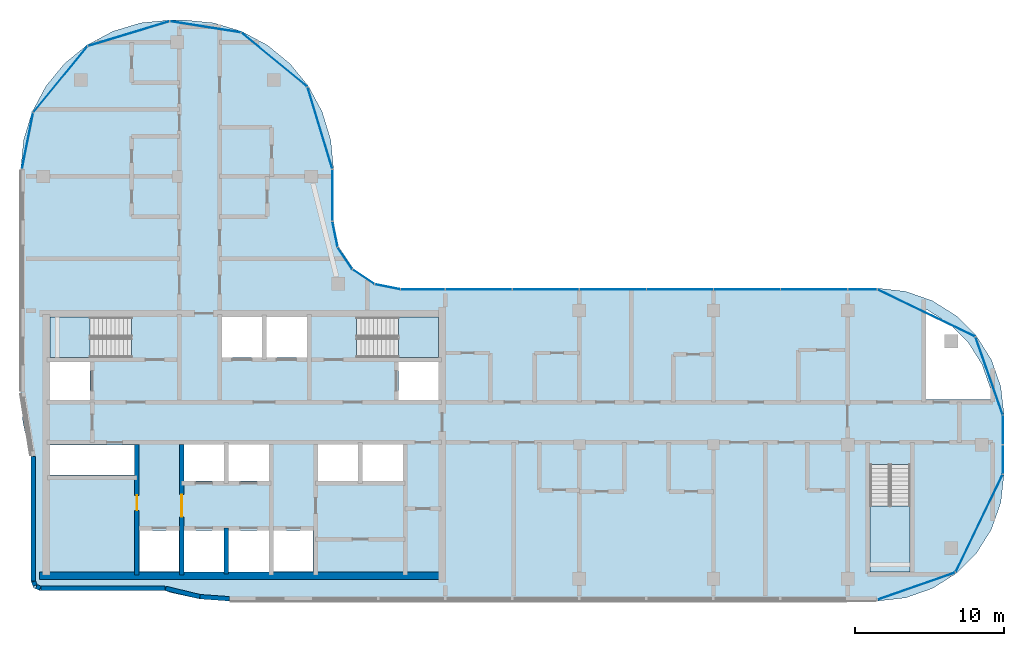
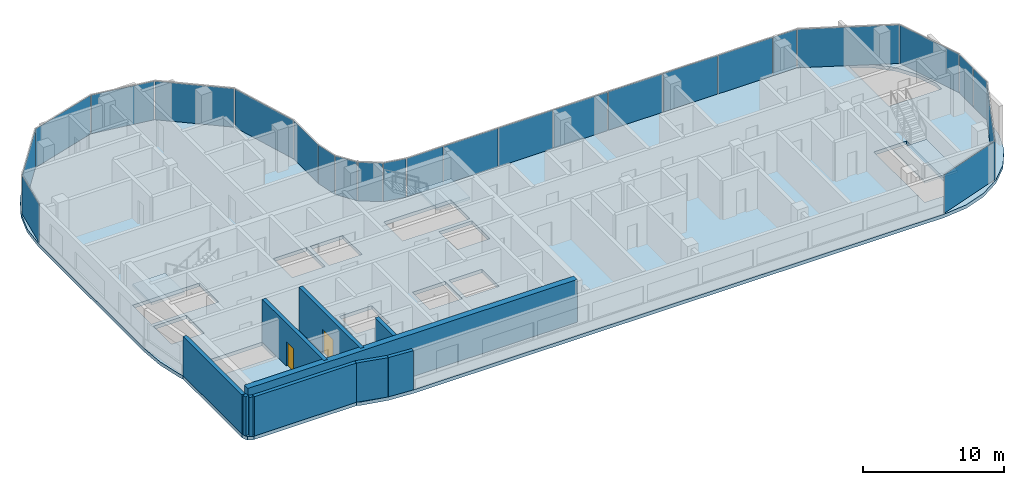
# One storey, part 8 of 19: 25 plates, 10 walls, 4 slabs, 2 doors, 2 openings, 10 elements without a shape of their own.
"""IFC4 building model written with IfcOpenShell, lengths in metres."""

from ifc_helpers import new_model, si_unit, direction, frame, frame_2d, origin, origin_2d, place, context, subcontext, project, spatial, polyline, rectangle, outline, extrude, material, layer, layer_set, type_object, element, fill, aggregate, save


model = new_model("IFC4")

# Units and contexts
model_context = context("Model", 3, precision=1e-05, world=origin(), true_north=direction((0.0, 1.0)))
body_context = subcontext(model_context, "Body", "Model", "MODEL_VIEW")
ifc_project = project(units=[si_unit("LENGTHUNIT", "METRE"), si_unit("AREAUNIT", "SQUARE_METRE"), si_unit("VOLUMEUNIT", "CUBIC_METRE"), si_unit("PLANEANGLEUNIT", "RADIAN"), si_unit("MASSUNIT", "GRAM", prefix="KILO")], contexts=[model_context])

# Site, building, storey
site_placement = place(None, origin())
site = spatial("IfcSite", under=ifc_project, at=site_placement, CompositionType="ELEMENT")
building_placement = place(site_placement, origin())
building = spatial("IfcBuilding", under=site, at=building_placement, Name="Ogive Portal Towers", CompositionType="ELEMENT")
storey_placement = place(building_placement, frame((0.0, 0.0, 229.10009765625)))
storey = spatial("IfcBuildingStorey", under=building, at=storey_placement, Name="L57", CompositionType="ELEMENT", Elevation=229.10009765625)

# Curtain wall, plates
ifc_material_1 = material(Name="Glass, clear low-iron insulated glazing", Category="glass")
curtain_wall_type = type_object("IfcCurtainWallType", Name="CW FRONT RIBBON 4500", PredefinedType="NOTDEFINED", material=ifc_material_1)
curtain_wall_1_placement = place(storey_placement, origin())
curtain_wall_1 = element("IfcCurtainWall", 1, at=curtain_wall_1_placement, inside=storey, type_object=curtain_wall_type, Name="A:L57:f09:cw0", PredefinedType="NOTDEFINED")
ifc_layer_1 = layer(ifc_material_1, 0.028076171875)
ifc_layer_set_1 = layer_set([ifc_layer_1], Name="CW PANEL IGU 28")
plate_type = type_object("IfcPlateType", Name="CW PANEL IGU 28", PredefinedType="CURTAIN_PANEL", material=ifc_layer_set_1)
plate_1_placement = place(storey_placement, frame((95.919921875, 29.509033203125, 0.0), z_axis=(0.0, 0.0, 1.0), x_axis=(0.0, 1.0, 0.0)))
plate_1 = element("IfcPlate", 2, at=plate_1_placement, type_object=plate_type, Name="panel", PredefinedType="CURTAIN_PANEL", context=body_context, shape_type="SweptSolid", body=[
    extrude(rectangle(XDim=1.921630859375, YDim=0.028076171875, at=origin_2d()), origin(), (0.0, 0.0, 1.0), 3.340087890625),
])
plate_2_placement = place(storey_placement, frame((95.919921875, 31.4931640625, 0.0), z_axis=(0.0, 0.0, 1.0), x_axis=(0.0, 1.0, 0.0)))
plate_2 = element("IfcPlate", 3, at=plate_2_placement, type_object=plate_type, Name="panel", PredefinedType="CURTAIN_PANEL", context=body_context, shape_type="SweptSolid", body=[
    extrude(rectangle(XDim=1.926513671875, YDim=0.028076171875, at=origin_2d()), origin(), (0.0, 0.0, 1.0), 3.340087890625),
])
aggregate(curtain_wall_1, [plate_1, plate_2])

curtain_wall_2_placement = place(storey_placement, origin())
curtain_wall_2 = element("IfcCurtainWall", 4, at=curtain_wall_2_placement, inside=storey, type_object=curtain_wall_type, Name="A:L57:f12:cw0", PredefinedType="NOTDEFINED")
plate_3_placement = place(storey_placement, frame((86.490966796875, 40.919921875, 0.0), z_axis=(0.0, 0.0, 1.0), x_axis=(-1.0, 0.0, 0.0)))
plate_3 = element("IfcPlate", 5, at=plate_3_placement, type_object=plate_type, Name="panel", PredefinedType="CURTAIN_PANEL", context=body_context, shape_type="SweptSolid", body=[
    extrude(rectangle(XDim=1.921630859375, YDim=0.028076171875, at=origin_2d()), origin(), (0.0, 0.0, 1.0), 3.340087890625),
])
plate_4_placement = place(storey_placement, frame((83.25, 40.919921875, 0.0), z_axis=(0.0, 0.0, 1.0), x_axis=(-1.0, 0.0, 0.0)))
plate_4 = element("IfcPlate", 6, at=plate_4_placement, type_object=plate_type, Name="panel", PredefinedType="CURTAIN_PANEL", context=body_context, shape_type="SweptSolid", body=[
    extrude(rectangle(XDim=4.43994140625, YDim=0.028076171875, at=origin_2d()), origin(), (0.0, 0.0, 1.0), 3.340087890625),
])
plate_5_placement = place(storey_placement, frame((78.75, 40.919921875, 0.0), z_axis=(0.0, 0.0, 1.0), x_axis=(-1.0, 0.0, 0.0)))
plate_5 = element("IfcPlate", 7, at=plate_5_placement, type_object=plate_type, Name="panel", PredefinedType="CURTAIN_PANEL", context=body_context, shape_type="SweptSolid", body=[
    extrude(rectangle(XDim=4.43994140625, YDim=0.028076171875, at=origin_2d()), origin(), (0.0, 0.0, 1.0), 3.340087890625),
])
plate_6_placement = place(storey_placement, frame((74.25, 40.919921875, 0.0), z_axis=(0.0, 0.0, 1.0), x_axis=(-1.0, 0.0, 0.0)))
plate_6 = element("IfcPlate", 8, at=plate_6_placement, type_object=plate_type, Name="panel", PredefinedType="CURTAIN_PANEL", context=body_context, shape_type="SweptSolid", body=[
    extrude(rectangle(XDim=4.43994140625, YDim=0.028076171875, at=origin_2d()), origin(), (0.0, 0.0, 1.0), 3.340087890625),
])
plate_7_placement = place(storey_placement, frame((69.75, 40.919921875, 0.0), z_axis=(0.0, 0.0, 1.0), x_axis=(-1.0, 0.0, 0.0)))
plate_7 = element("IfcPlate", 9, at=plate_7_placement, type_object=plate_type, Name="panel", PredefinedType="CURTAIN_PANEL", context=body_context, shape_type="SweptSolid", body=[
    extrude(rectangle(XDim=4.43994140625, YDim=0.028076171875, at=origin_2d()), origin(), (0.0, 0.0, 1.0), 3.340087890625),
])
plate_8_placement = place(storey_placement, frame((65.25, 40.919921875, 0.0), z_axis=(0.0, 0.0, 1.0), x_axis=(-1.0, 0.0, 0.0)))
plate_8 = element("IfcPlate", 10, at=plate_8_placement, type_object=plate_type, Name="panel", PredefinedType="CURTAIN_PANEL", context=body_context, shape_type="SweptSolid", body=[
    extrude(rectangle(XDim=4.43994140625, YDim=0.028076171875, at=origin_2d()), origin(), (0.0, 0.0, 1.0), 3.340087890625),
])
plate_9_placement = place(storey_placement, frame((60.75, 40.919921875, 0.0), z_axis=(0.0, 0.0, 1.0), x_axis=(-1.0, 0.0, 0.0)))
plate_9 = element("IfcPlate", 11, at=plate_9_placement, type_object=plate_type, Name="panel", PredefinedType="CURTAIN_PANEL", context=body_context, shape_type="SweptSolid", body=[
    extrude(rectangle(XDim=4.43994140625, YDim=0.028076171875, at=origin_2d()), origin(), (0.0, 0.0, 1.0), 3.340087890625),
])
plate_10_placement = place(storey_placement, frame((56.99609375, 40.919921875, 0.0), z_axis=(0.0, 0.0, 1.0), x_axis=(-1.0, 0.0, 0.0)))
plate_10 = element("IfcPlate", 12, at=plate_10_placement, type_object=plate_type, Name="panel", PredefinedType="CURTAIN_PANEL", context=body_context, shape_type="SweptSolid", body=[
    extrude(rectangle(XDim=2.947998046875, YDim=0.028076171875, at=origin_2d()), origin(), (0.0, 0.0, 1.0), 3.340087890625),
])
aggregate(curtain_wall_2, [plate_3, plate_4, plate_5, plate_6, plate_7, plate_8, plate_9, plate_10])

# Curtain wall, plate
curtain_wall_3_placement = place(storey_placement, origin())
curtain_wall_3 = element("IfcCurtainWall", 13, at=curtain_wall_3_placement, inside=storey, type_object=curtain_wall_type, Name="A:L57:f17:cw0", PredefinedType="NOTDEFINED")
plate_11_placement = place(storey_placement, frame((50.919921875, 47.240234375, 0.0), z_axis=(0.0, 0.0, 1.0), x_axis=(0.0, 1.0, 0.0)))
plate_11 = element("IfcPlate", 14, at=plate_11_placement, type_object=plate_type, Name="panel", PredefinedType="CURTAIN_PANEL", context=body_context, shape_type="SweptSolid", body=[
    extrude(rectangle(XDim=3.43603515625, YDim=0.028076171875, at=origin_2d()), origin(), (0.0, 0.0, 1.0), 3.340087890625),
])
aggregate(curtain_wall_3, [plate_11])

# Curtain wall, plates
curtain_wall_4_placement = place(storey_placement, origin())
curtain_wall_4 = element("IfcCurtainWall", 15, at=curtain_wall_4_placement, inside=storey, type_object=curtain_wall_type, Name="A:L57:f07:cwa", PredefinedType="NOTDEFINED")
plate_12_placement = place(storey_placement, frame((90.1142578125, 20.99951171875, 0.0), z_axis=(0.0, 0.0, 1.0), x_axis=(0.943883330307, 0.33027906196, 0.0)))
plate_12 = element("IfcPlate", 16, at=plate_12_placement, type_object=plate_type, Name="panel", PredefinedType="CURTAIN_PANEL", context=body_context, shape_type="SweptSolid", body=[
    extrude(rectangle(XDim=5.508056640625, YDim=0.028076171875, at=origin_2d()), origin(), (0.0, 0.0, 1.0), 3.340087890625),
])
plate_13_placement = place(storey_placement, frame((94.3310546875, 25.21875, 0.0), z_axis=(0.0, 0.0, 1.0), x_axis=(0.433883739113, 0.900968867905, 0.0)))
plate_13 = element("IfcPlate", 17, at=plate_13_placement, type_object=plate_type, Name="panel", PredefinedType="CURTAIN_PANEL", context=body_context, shape_type="SweptSolid", body=[
    extrude(rectangle(XDim=7.2646484375, YDim=0.028076171875, at=origin_2d()), origin(), (0.0, 0.0, 1.0), 3.340087890625),
])
aggregate(curtain_wall_4, [plate_12, plate_13])

curtain_wall_5_placement = place(storey_placement, origin())
curtain_wall_5 = element("IfcCurtainWall", 18, at=curtain_wall_5_placement, inside=storey, type_object=curtain_wall_type, Name="A:L57:f10:cwa", PredefinedType="NOTDEFINED")
plate_14_placement = place(storey_placement, frame((95.00048828125, 35.1142578125, 0.0), z_axis=(0.0, 0.0, 1.0), x_axis=(-0.33027906196, 0.943883330307, 0.0)))
plate_14 = element("IfcPlate", 19, at=plate_14_placement, type_object=plate_type, Name="panel", PredefinedType="CURTAIN_PANEL", context=body_context, shape_type="SweptSolid", body=[
    extrude(rectangle(XDim=5.508056640625, YDim=0.028076171875, at=origin_2d()), origin(), (0.0, 0.0, 1.0), 3.340087890625),
])
plate_15_placement = place(storey_placement, frame((90.78125, 39.3310546875, 0.0), z_axis=(0.0, 0.0, 1.0), x_axis=(-0.900968867905, 0.433883739113, 0.0)))
plate_15 = element("IfcPlate", 20, at=plate_15_placement, type_object=plate_type, Name="panel", PredefinedType="CURTAIN_PANEL", context=body_context, shape_type="SweptSolid", body=[
    extrude(rectangle(XDim=7.2646484375, YDim=0.028076171875, at=origin_2d()), origin(), (0.0, 0.0, 1.0), 3.340087890625),
])
aggregate(curtain_wall_5, [plate_14, plate_15])

curtain_wall_6_placement = place(storey_placement, origin())
curtain_wall_6 = element("IfcCurtainWall", 21, at=curtain_wall_6_placement, inside=storey, type_object=curtain_wall_type, Name="A:L57:f13:cwa", PredefinedType="NOTDEFINED")
plate_16_placement = place(storey_placement, frame((54.619384765625, 41.093505859375, 0.0), z_axis=(0.0, 0.0, 1.0), x_axis=(-0.980785280403, 0.195090322016, 0.0)))
plate_16 = element("IfcPlate", 22, at=plate_16_placement, type_object=plate_type, Name="panel", PredefinedType="CURTAIN_PANEL", context=body_context, shape_type="SweptSolid", body=[
    extrude(rectangle(XDim=1.7197265625, YDim=0.028076171875, at=origin_2d()), origin(), (0.0, 0.0, 1.0), 3.340087890625),
])
plate_17_placement = place(storey_placement, frame((53.00341796875, 41.763671875, 0.0), z_axis=(0.0, 0.0, 1.0), x_axis=(-0.831469612303, 0.55557023302, 0.0)))
plate_17 = element("IfcPlate", 23, at=plate_17_placement, type_object=plate_type, Name="panel", PredefinedType="CURTAIN_PANEL", context=body_context, shape_type="SweptSolid", body=[
    extrude(rectangle(XDim=1.7275390625, YDim=0.028076171875, at=origin_2d()), origin(), (0.0, 0.0, 1.0), 3.340087890625),
])
plate_18_placement = place(storey_placement, frame((51.763671875, 43.00341796875, 0.0), z_axis=(0.0, 0.0, 1.0), x_axis=(-0.55557023302, 0.831469612303, 0.0)))
plate_18 = element("IfcPlate", 24, at=plate_18_placement, type_object=plate_type, Name="panel", PredefinedType="CURTAIN_PANEL", context=body_context, shape_type="SweptSolid", body=[
    extrude(rectangle(XDim=1.7275390625, YDim=0.028076171875, at=origin_2d()), origin(), (0.0, 0.0, 1.0), 3.340087890625),
])
plate_19_placement = place(storey_placement, frame((51.093505859375, 44.619384765625, 0.0), z_axis=(0.0, 0.0, 1.0), x_axis=(-0.195090322016, 0.980785280403, 0.0)))
plate_19 = element("IfcPlate", 25, at=plate_19_placement, type_object=plate_type, Name="panel", PredefinedType="CURTAIN_PANEL", context=body_context, shape_type="SweptSolid", body=[
    extrude(rectangle(XDim=1.7197265625, YDim=0.028076171875, at=origin_2d()), origin(), (0.0, 0.0, 1.0), 3.340087890625),
])
aggregate(curtain_wall_6, [plate_16, plate_17, plate_18, plate_19])

curtain_wall_7_placement = place(storey_placement, origin())
curtain_wall_7 = element("IfcCurtainWall", 26, at=curtain_wall_7_placement, inside=storey, type_object=curtain_wall_type, Name="A:L57:f18:cwa", PredefinedType="NOTDEFINED")
plate_20_placement = place(storey_placement, frame((50.08251953125, 51.748779296875, 0.0), z_axis=(0.0, 0.0, 1.0), x_axis=(-0.290284677254, 0.956940335732, 0.0)))
plate_20 = element("IfcPlate", 27, at=plate_20_placement, type_object=plate_type, Name="panel", PredefinedType="CURTAIN_PANEL", context=body_context, shape_type="SweptSolid", body=[
    extrude(rectangle(XDim=5.70947265625, YDim=0.028076171875, at=origin_2d()), origin(), (0.0, 0.0, 1.0), 3.340087890625),
])
plate_21_placement = place(storey_placement, frame((47.01904296875, 56.336181640625, 0.0), z_axis=(0.0, 0.0, 1.0), x_axis=(-0.773010453363, 0.634393284164, 0.0)))
plate_21 = element("IfcPlate", 28, at=plate_21_placement, type_object=plate_type, Name="panel", PredefinedType="CURTAIN_PANEL", context=body_context, shape_type="SweptSolid", body=[
    extrude(rectangle(XDim=5.69970703125, YDim=0.028076171875, at=origin_2d()), origin(), (0.0, 0.0, 1.0), 3.340087890625),
])
plate_22_placement = place(storey_placement, frame((42.399169921875, 58.54052734375, 0.0), z_axis=(0.0, 0.0, 1.0), x_axis=(-0.987792174992, 0.155777466355, 0.0)))
plate_22 = element("IfcPlate", 29, at=plate_22_placement, type_object=plate_type, Name="panel", PredefinedType="CURTAIN_PANEL", context=body_context, shape_type="SweptSolid", body=[
    extrude(rectangle(XDim=4.786376953125, YDim=0.028076171875, at=origin_2d()), origin(), (0.0, 0.0, 1.0), 3.340087890625),
])
plate_23_placement = place(storey_placement, frame((37.248291015625, 58.08154296875, 0.0), z_axis=(0.0, 0.0, 1.0), x_axis=(-0.956940335732, -0.290284677254, 0.0)))
plate_23 = element("IfcPlate", 30, at=plate_23_placement, type_object=plate_type, Name="panel", PredefinedType="CURTAIN_PANEL", context=body_context, shape_type="SweptSolid", body=[
    extrude(rectangle(XDim=5.703125, YDim=0.028076171875, at=origin_2d()), origin(), (0.0, 0.0, 1.0), 3.340087890625),
])
plate_24_placement = place(storey_placement, frame((32.663330078125, 55.018310546875, 0.0), z_axis=(0.0, 0.0, 1.0), x_axis=(-0.634393284164, -0.773010453363, 0.0)))
plate_24 = element("IfcPlate", 31, at=plate_24_placement, type_object=plate_type, Name="panel", PredefinedType="CURTAIN_PANEL", context=body_context, shape_type="SweptSolid", body=[
    extrude(rectangle(XDim=5.701416015625, YDim=0.028076171875, at=origin_2d()), origin(), (0.0, 0.0, 1.0), 3.340087890625),
])
plate_25_placement = place(storey_placement, frame((30.457763671875, 50.891845703125, 0.0), z_axis=(0.0, 0.0, 1.0), x_axis=(-0.195090322016, -0.980785280403, 0.0)))
plate_25 = element("IfcPlate", 32, at=plate_25_placement, type_object=plate_type, Name="panel", PredefinedType="CURTAIN_PANEL", context=body_context, shape_type="SweptSolid", body=[
    extrude(rectangle(XDim=3.81396484375, YDim=0.028076171875, at=origin_2d()), origin(), (0.0, 0.0, 1.0), 3.340087890625),
])
aggregate(curtain_wall_7, [plate_20, plate_21, plate_22, plate_23, plate_24, plate_25])

# Stair, slab
ifc_material_2 = material(Name="Concrete C40/50", Category="concrete")
stair_type = type_object("IfcStairType", Name="INT-STAIR", PredefinedType="HALF_TURN_STAIR", material=ifc_material_2)
stair_1_placement = place(storey_placement, origin())
stair_1 = element("IfcStair", 33, at=stair_1_placement, inside=storey, type_object=stair_type, Name="L57 Exit Stair ST-A1", PredefinedType="HALF_TURN_STAIR")
ifc_layer_2 = layer(ifc_material_2, 0.199951171875)
ifc_layer_set_2 = layer_set([ifc_layer_2], Name="INT-LANDING")
slab_type_1 = type_object("IfcSlabType", Name="INT-LANDING", PredefinedType="LANDING", material=ifc_layer_set_2)
slab_1_placement = place(storey_placement, frame((0.0, 0.0, 1.64990234375)))
slab_1 = element("IfcSlab", 34, at=slab_1_placement, type_object=slab_type_1, Name="ST-A1 landing 1", PredefinedType="LANDING", context=body_context, shape_type="SweptSolid", body=[
    extrude(outline(polyline([(34.64990234375, 39.050048828125), (31.949951171875, 39.050048828125), (31.949951171875, 36.35009765625), (34.64990234375, 36.35009765625), (34.64990234375, 39.050048828125)])), origin(), (0.0, 0.0, 1.0), 0.199951171875),
])
aggregate(stair_1, [slab_1])

stair_2_placement = place(storey_placement, origin())
stair_2 = element("IfcStair", 35, at=stair_2_placement, inside=storey, type_object=stair_type, Name="L57 Exit Stair ST-A2", PredefinedType="HALF_TURN_STAIR")
slab_2_placement = place(storey_placement, frame((0.0, 0.0, 1.64990234375)))
slab_2 = element("IfcSlab", 36, at=slab_2_placement, type_object=slab_type_1, Name="ST-A2 landing 1", PredefinedType="LANDING", context=body_context, shape_type="SweptSolid", body=[
    extrude(outline(polyline([(55.35009765625, 36.35009765625), (58.050048828125, 36.35009765625), (58.050048828125, 39.050048828125), (55.35009765625, 39.050048828125), (55.35009765625, 36.35009765625)])), origin(), (0.0, 0.0, 1.0), 0.199951171875),
])
aggregate(stair_2, [slab_2])

stair_3_placement = place(storey_placement, origin())
stair_3 = element("IfcStair", 37, at=stair_3_placement, inside=storey, type_object=stair_type, Name="L57 Exit Stair ST-A4", PredefinedType="HALF_TURN_STAIR")
slab_3_placement = place(storey_placement, frame((0.0, 0.0, 1.64990234375)))
slab_3 = element("IfcSlab", 38, at=slab_3_placement, type_object=slab_type_1, Name="ST-A4 landing 1", PredefinedType="LANDING", context=body_context, shape_type="SweptSolid", body=[
    extrude(outline(polyline([(87.0, 26.3701171875), (87.0, 21.949951171875), (89.699951171875, 21.949951171875), (89.699951171875, 26.3701171875), (87.0, 26.3701171875)])), origin(), (0.0, 0.0, 1.0), 0.199951171875),
])
aggregate(stair_3, [slab_3])

# Slab
ifc_material_3 = material(Name="Concrete C45/55", Category="concrete")
ifc_layer_3 = layer(ifc_material_3, 0.300048828125)
ifc_layer_set_3 = layer_set([ifc_layer_3], Name="PT FLAT PLATE 300")
slab_type_2 = type_object("IfcSlabType", Name="PT FLAT PLATE 300", PredefinedType="FLOOR", material=ifc_layer_set_3)
slab_4_placement = place(storey_placement, frame((0.0, 0.0, -0.300048828125)))
element("IfcSlab", 39, at=slab_4_placement, inside=storey, type_object=slab_type_2, Name="Floor slab L57", PredefinedType="FLOOR", context=body_context, shape_type="SweptSolid", body=[
    extrude(outline(polyline([(30.142578125, 32.007568359375), (30.567138671875, 30.0556640625), (30.699951171875, 29.699462890625), (30.699951171875, 21.300048828125), (30.875732421875, 20.875732421875), (31.300048828125, 20.699951171875), (39.699462890625, 20.699951171875), (40.0556640625, 20.567138671875), (42.007568359375, 20.142578125), (44.0, 20.0), (87.5, 20.0), (89.391357421875, 20.213134765625), (91.18798828125, 20.841796875), (92.7998046875, 21.8544921875), (94.1455078125, 23.2001953125), (95.158203125, 24.81201171875), (95.786865234375, 26.608642578125), (96.0, 28.5), (96.0, 32.5), (95.786865234375, 34.391357421875), (95.158203125, 36.18798828125), (94.1455078125, 37.7998046875), (92.7998046875, 39.1455078125), (91.18798828125, 40.158203125), (89.391357421875, 40.786865234375), (87.5, 41.0), (55.5, 41.0), (53.77783203125, 41.342529296875), (52.318115234375, 42.318115234375), (51.342529296875, 43.77783203125), (51.0, 45.5), (51.0, 49.0), (50.807861328125, 50.950927734375), (50.23876953125, 52.826904296875), (49.314697265625, 54.5556640625), (48.071044921875, 56.071044921875), (46.5556640625, 57.314697265625), (44.826904296875, 58.23876953125), (42.950927734375, 58.807861328125), (41.0, 59.0), (40.0, 59.0), (38.049072265625, 58.807861328125), (36.173095703125, 58.23876953125), (34.4443359375, 57.314697265625), (32.928955078125, 56.071044921875), (31.685302734375, 54.5556640625), (30.76123046875, 52.826904296875), (30.192138671875, 50.950927734375), (30.0, 49.0), (30.0, 34.0), (30.142578125, 32.007568359375)]), holes=[polyline([(40.6298828125, 21.969970703125), (37.969970703125, 21.969970703125), (37.969970703125, 24.72998046875), (40.6298828125, 24.72998046875), (40.6298828125, 21.969970703125)]), polyline([(43.64990234375, 24.75), (43.64990234375, 21.949951171875), (40.949951171875, 21.949951171875), (40.949951171875, 24.75), (43.64990234375, 24.75)]), polyline([(46.64990234375, 24.75), (46.64990234375, 21.949951171875), (43.949951171875, 21.949951171875), (43.949951171875, 24.75), (46.64990234375, 24.75)]), polyline([(43.64990234375, 30.5), (43.64990234375, 28.050048828125), (40.949951171875, 28.050048828125), (40.949951171875, 30.5), (43.64990234375, 30.5)]), polyline([(46.64990234375, 30.5), (46.64990234375, 28.050048828125), (43.949951171875, 28.050048828125), (43.949951171875, 30.5), (46.64990234375, 30.5)]), polyline([(37.6298828125, 28.447021484375), (31.969970703125, 28.447021484375), (31.969970703125, 30.47998046875), (37.6298828125, 30.47998046875), (37.6298828125, 28.447021484375)]), polyline([(34.64990234375, 36.050048828125), (34.64990234375, 33.5), (31.949951171875, 33.5), (31.949951171875, 36.050048828125), (34.64990234375, 36.050048828125)]), polyline([(31.951904296875, 39.048095703125), (37.447998046875, 39.048095703125), (37.447998046875, 36.35205078125), (31.951904296875, 36.35205078125), (31.951904296875, 39.048095703125)]), polyline([(46.199951171875, 39.050048828125), (46.199951171875, 36.35009765625), (43.5, 36.35009765625), (43.5, 39.050048828125), (46.199951171875, 39.050048828125)]), polyline([(49.6298828125, 21.969970703125), (46.969970703125, 21.969970703125), (46.969970703125, 24.72998046875), (49.6298828125, 24.72998046875), (49.6298828125, 21.969970703125)]), polyline([(87.001953125, 21.951904296875), (87.001953125, 29.16796875), (89.697998046875, 29.16796875), (89.697998046875, 21.951904296875), (87.001953125, 21.951904296875)]), polyline([(52.64990234375, 30.5), (52.64990234375, 28.050048828125), (49.949951171875, 28.050048828125), (49.949951171875, 30.5), (52.64990234375, 30.5)]), polyline([(55.64990234375, 30.5), (55.64990234375, 28.050048828125), (52.949951171875, 28.050048828125), (52.949951171875, 30.5), (55.64990234375, 30.5)]), polyline([(58.050048828125, 36.050048828125), (58.050048828125, 33.5), (55.35009765625, 33.5), (55.35009765625, 36.050048828125), (58.050048828125, 36.050048828125)]), polyline([(93.5947265625, 37.360595703125), (94.523681640625, 35.88232421875), (95.080078125, 34.292236328125), (95.080078125, 33.52001953125), (90.77001953125, 33.52001953125), (90.77001953125, 39.56298828125), (90.88232421875, 39.523681640625), (92.360595703125, 38.5947265625), (93.5947265625, 37.360595703125)]), polyline([(49.199951171875, 36.35009765625), (46.5, 36.35009765625), (46.5, 39.050048828125), (49.199951171875, 39.050048828125), (49.199951171875, 36.35009765625)]), polyline([(52.552001953125, 36.35205078125), (52.552001953125, 39.048095703125), (58.048095703125, 39.048095703125), (58.048095703125, 36.35205078125), (52.552001953125, 36.35205078125)])]), origin(), (0.0, 0.0, 1.0), 0.300048828125),
])

# Wall, opening, door
ifc_material_4 = material(Name="Concrete C60/75", Category="concrete")
ifc_layer_4 = layer(ifc_material_4, 0.300048828125)
ifc_layer_set_4 = layer_set([ifc_layer_4], Name="CORE WALL 300 C60")
wall_type_1 = type_object("IfcWallType", Name="CORE WALL 300 C60", PredefinedType="SHEAR", material=ifc_layer_set_4)
wall_1_placement = place(storey_placement, frame((37.800048828125, 21.75, 0.0), z_axis=(0.0, 0.0, 1.0), x_axis=(0.0, 1.0, 0.0)))
wall_1 = element("IfcWall", 40, at=wall_1_placement, inside=storey, type_object=wall_type_1, Name="Core wall X1 L57", PredefinedType="SHEAR", context=body_context, shape_type="SweptSolid", body=[
    extrude(rectangle(XDim=8.75, YDim=0.300048828125, at=frame_2d((4.375, 0.0))), origin(), (0.0, 0.0, 1.0), 3.699951171875),
])
opening_1_placement = place(wall_1_placement, frame((4.337890625, 0.0, 0.0)))
opening_1 = element("IfcOpeningElement", 41, at=opening_1_placement, cuts=wall_1, Name="Opening D25-022", PredefinedType="OPENING", context=body_context, shape_type="SweptSolid", body=[
    extrude(rectangle(XDim=1.0, YDim=2.10009765625, at=frame_2d((0.5, 1.050048828125))), frame((0.0, 0.16015625, 0.0), z_axis=(0.0, -1.0, 0.0), x_axis=(1.0, 0.0, 0.0)), (0.0, 0.0, 1.0), 0.320068359375),
])
ifc_material_5 = material(Name="Steel fire door", Category="steel")
door_type_1 = type_object("IfcDoorType", Name="DT-SWING-1000x2100-FD90S", OperationType="SINGLE_SWING_LEFT", PredefinedType="DOOR", material=ifc_material_5)
door_1_placement = place(opening_1_placement, origin())
door_1 = element("IfcDoor", 42, at=door_1_placement, inside=storey, type_object=door_type_1, Name="Door D25-022", OperationType="SINGLE_SWING_RIGHT", OverallHeight=2.10009765625, OverallWidth=1.0, PredefinedType="DOOR", context=body_context, shape_type="SweptSolid", body=[
    extrude(rectangle(XDim=1.0, YDim=2.10009765625, at=frame_2d((0.5, 1.050048828125))), frame((0.0, 0.02490234375, 0.0), z_axis=(0.0, -1.0, 0.0), x_axis=(1.0, 0.0, 0.0)), (0.0, 0.0, 1.0), 0.050048828125),
])
fill(opening_1, door_1)

wall_2_placement = place(storey_placement, frame((40.800048828125, 21.75, 0.0), z_axis=(0.0, 0.0, 1.0), x_axis=(0.0, 1.0, 0.0)))
wall_2 = element("IfcWall", 43, at=wall_2_placement, inside=storey, type_object=wall_type_1, Name="Core wall X2 L57", PredefinedType="SHEAR", context=body_context, shape_type="SweptSolid", body=[
    extrude(rectangle(XDim=8.75, YDim=0.300048828125, at=frame_2d((4.375, 0.0))), origin(), (0.0, 0.0, 1.0), 3.699951171875),
])
opening_2_placement = place(wall_2_placement, frame((3.89990234375, 0.0, 0.0)))
opening_2 = element("IfcOpeningElement", 44, at=opening_2_placement, cuts=wall_2, Name="Opening D25-001", PredefinedType="OPENING", context=body_context, shape_type="SweptSolid", body=[
    extrude(rectangle(XDim=1.5, YDim=2.10009765625, at=frame_2d((0.75, 1.050048828125))), frame((0.0, 0.16015625, 0.0), z_axis=(0.0, -1.0, 0.0), x_axis=(1.0, 0.0, 0.0)), (0.0, 0.0, 1.0), 0.320068359375),
])
door_type_2 = type_object("IfcDoorType", Name="DT-SWING-1500x2100-FD90S", OperationType="SINGLE_SWING_LEFT", PredefinedType="DOOR", material=ifc_material_5)
door_2_placement = place(opening_2_placement, origin())
door_2 = element("IfcDoor", 45, at=door_2_placement, inside=storey, type_object=door_type_2, Name="Door D25-001", OperationType="SINGLE_SWING_RIGHT", OverallHeight=2.10009765625, OverallWidth=1.5, PredefinedType="DOOR", context=body_context, shape_type="SweptSolid", body=[
    extrude(rectangle(XDim=1.5, YDim=2.10009765625, at=frame_2d((0.75, 1.050048828125))), frame((0.0, 0.02490234375, 0.0), z_axis=(0.0, -1.0, 0.0), x_axis=(1.0, 0.0, 0.0)), (0.0, 0.0, 1.0), 0.050048828125),
])
fill(opening_2, door_2)

# Walls
ifc_layer_5 = layer(ifc_material_4, 0.5)
ifc_layer_set_5 = layer_set([ifc_layer_5], Name="CORE WALL 500 C60")
wall_type_2 = type_object("IfcWallType", Name="CORE WALL 500 C60", PredefinedType="SHEAR", material=ifc_layer_set_5)
wall_3_placement = place(storey_placement, frame((31.25, 21.699951171875, 0.0), z_axis=(0.0, 0.0, 1.0), x_axis=(1.0, 0.0, 0.0)))
element("IfcWall", 46, at=wall_3_placement, inside=storey, type_object=wall_type_2, Name="Core wall S L57", PredefinedType="SHEAR", context=body_context, shape_type="SweptSolid", body=[
    extrude(rectangle(XDim=27.0, YDim=0.5, at=frame_2d((13.5, 0.0))), origin(), (0.0, 0.0, 1.0), 3.699951171875),
])
ifc_material_6 = material(Name="Limestone cladding on lightweight block wall", Category="masonry")
ifc_layer_6 = layer(ifc_material_6, 0.300048828125)
ifc_layer_set_6 = layer_set([ifc_layer_6], Name="EXTERNAL WALL 300 STONE")
wall_type_3 = type_object("IfcWallType", Name="EXTERNAL WALL 300 STONE", PredefinedType="SOLIDWALL", material=ifc_layer_set_6)
wall_4_placement = place(storey_placement, frame((30.85009765625, 29.699462890625, 0.0), z_axis=(0.0, 0.0, 1.0), x_axis=(0.0, -1.0, 0.0)))
element("IfcWall", 47, at=wall_4_placement, inside=storey, type_object=wall_type_3, Name="A:L57:f00:r0:wall", PredefinedType="SOLIDWALL", context=body_context, shape_type="SweptSolid", body=[
    extrude(rectangle(XDim=8.33984375, YDim=0.300048828125, at=frame_2d((4.169921875, 0.0))), origin(), (0.0, 0.0, 1.0), 3.39990234375),
])
for number, where, z_axis, x_axis, name in (
    (48, (30.861328125, 21.30224609375, 0.0), (0.0, 0.0, 1.0), (0.38297812142, -0.923757413239, 0.0), "A:L57:f01:r0:wall"),
    (49, (31.0478515625, 20.966796875, 0.0), (0.0, 0.0, 1.0), (0.923757413239, -0.38297812142, 0.0), "A:L57:f02:r0:wall"),
):
    element("IfcWall", number, at=place(storey_placement, frame(where, z_axis=z_axis, x_axis=x_axis)), inside=storey, type_object=wall_type_3, Name=name, PredefinedType="SOLIDWALL", context=body_context, shape_type="SweptSolid", body=[
        extrude(rectangle(XDim=0.275390625, YDim=0.300048828125, at=frame_2d((0.1376953125, 0.0))), origin(), (0.0, 0.0, 1.0), 3.39990234375),
    ])
wall_5_placement = place(storey_placement, frame((31.359619140625, 20.85009765625, 0.0), z_axis=(0.0, 0.0, 1.0), x_axis=(1.0, 0.0, 0.0)))
element("IfcWall", 50, at=wall_5_placement, inside=storey, type_object=wall_type_3, Name="A:L57:f03:r0:wall", PredefinedType="SOLIDWALL", context=body_context, shape_type="SweptSolid", body=[
    extrude(rectangle(XDim=8.33984375, YDim=0.300048828125, at=frame_2d((4.169921875, 0.0))), origin(), (0.0, 0.0, 1.0), 3.39990234375),
])
wall_6_placement = place(storey_placement, frame((39.734619140625, 20.845703125, 0.0), z_axis=(0.0, 0.0, 1.0), x_axis=(0.97206095595, -0.234728562212, 0.0)))
element("IfcWall", 51, at=wall_6_placement, inside=storey, type_object=wall_type_3, Name="A:L57:f04:r0:wall", PredefinedType="SOLIDWALL", context=body_context, shape_type="SweptSolid", body=[
    extrude(rectangle(XDim=2.349609375, YDim=0.300048828125, at=frame_2d((1.1748046875, 0.0))), origin(), (0.0, 0.0, 1.0), 3.39990234375),
])
wall_7_placement = place(storey_placement, frame((42.043212890625, 20.290283203125, 0.0), z_axis=(0.0, 0.0, 1.0), x_axis=(0.997454275884, -0.071308958214, 0.0)))
element("IfcWall", 52, at=wall_7_placement, inside=storey, type_object=wall_type_3, Name="A:L57:f05:r0:wall", PredefinedType="SOLIDWALL", context=body_context, shape_type="SweptSolid", body=[
    extrude(rectangle(XDim=1.961669921875, YDim=0.300048828125, at=frame_2d((0.98095703125, 0.0))), origin(), (0.0, 0.0, 1.0), 3.39990234375),
])
ifc_layer_7 = layer(ifc_material_2, 0.300048828125)
ifc_layer_set_7 = layer_set([ifc_layer_7], Name="WT-SHAFT-300")
wall_type_4 = type_object("IfcWallType", Name="WT-SHAFT-300", PredefinedType="SOLIDWALL", material=ifc_layer_set_7)
wall_8_placement = place(storey_placement, frame((43.800048828125, 21.800048828125, 0.0), z_axis=(0.0, 0.0, 1.0), x_axis=(0.0, 1.0, 0.0)))
element("IfcWall", 53, at=wall_8_placement, inside=storey, type_object=wall_type_4, Name="Wall pw:008:L57", PredefinedType="SOLIDWALL", context=body_context, shape_type="SweptSolid", body=[
    extrude(rectangle(XDim=3.099853515625, YDim=0.300048828125, at=frame_2d((1.5498046875, 0.0))), origin(), (0.0, 0.0, 1.0), 3.39990234375),
])

save(model, "model.ifc")
